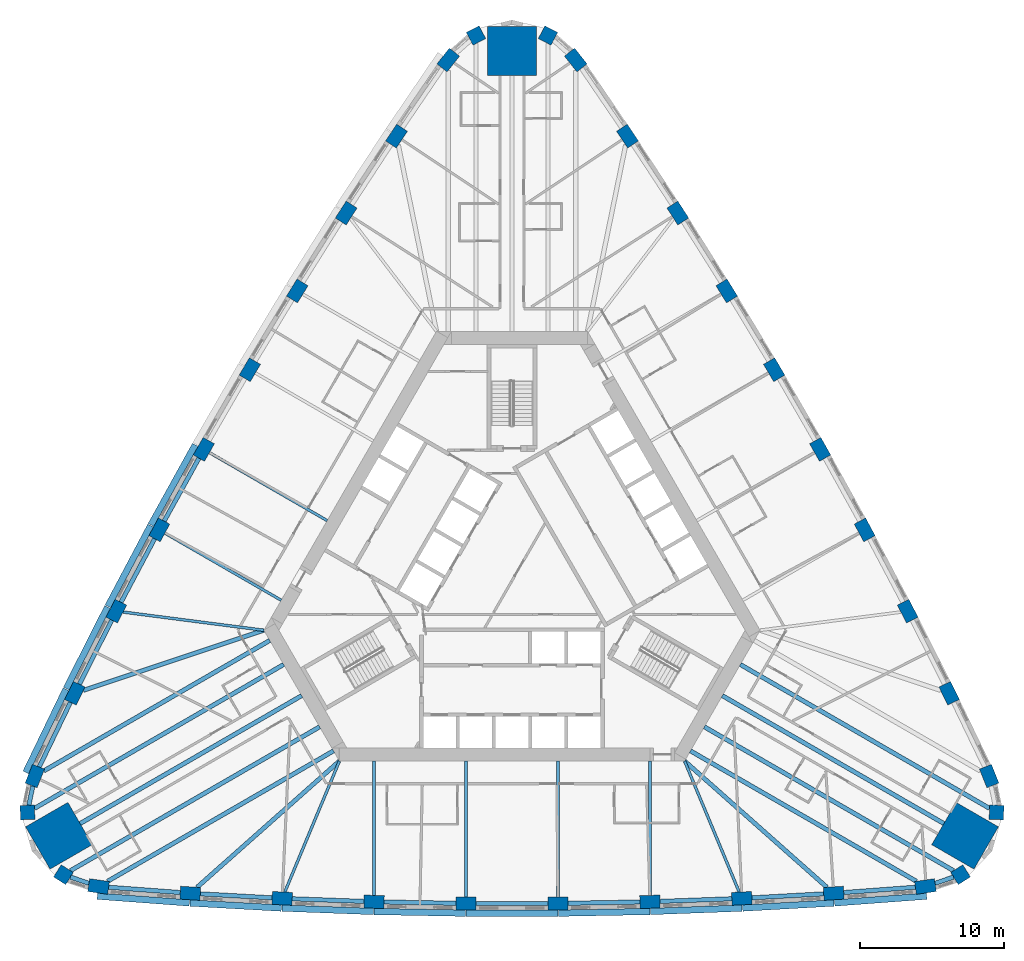
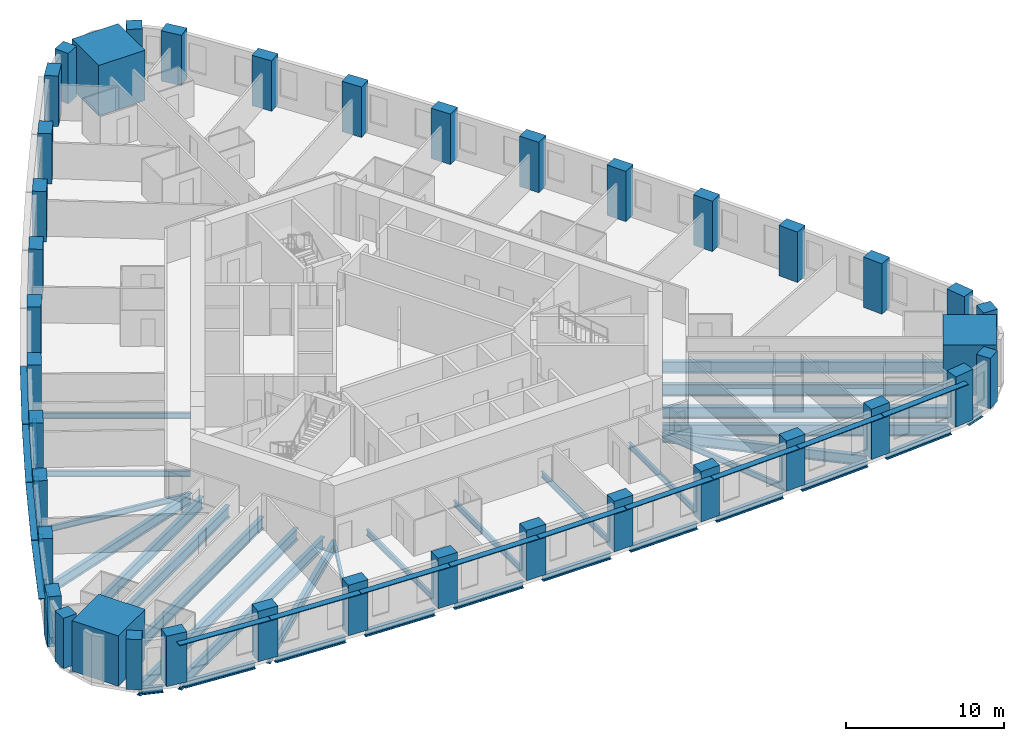
# One storey, part 1 of 13: 39 columns, 37 beams, 13 members.
"""IFC4 building model written with IfcOpenShell, lengths in metres."""

from ifc_helpers import new_model, si_unit, direction, frame, origin, origin_2d, place, context, subcontext, project, spatial, rectangle, i_section, extrude, material, material_profile, profile_set, type_object, element, save


model = new_model("IFC4")

# Units and contexts
model_context = context("Model", 3, precision=1e-05, world=origin(), true_north=direction((0.0, 1.0)))
body_context = subcontext(model_context, "Body", "Model", "MODEL_VIEW")
ifc_project = project(units=[si_unit("LENGTHUNIT", "METRE"), si_unit("AREAUNIT", "SQUARE_METRE"), si_unit("VOLUMEUNIT", "CUBIC_METRE"), si_unit("PLANEANGLEUNIT", "RADIAN"), si_unit("MASSUNIT", "GRAM", prefix="KILO")], contexts=[model_context])

# Site, building, storey
site_placement = place(None, origin())
site = spatial("IfcSite", under=ifc_project, at=site_placement, CompositionType="ELEMENT")
building_placement = place(site_placement, origin())
building = spatial("IfcBuilding", under=site, at=building_placement, Name="Mestral Congress Tower", CompositionType="ELEMENT")
storey_placement = place(building_placement, frame((0.0, 0.0, 62.699951171875)))
storey = spatial("IfcBuildingStorey", under=building, at=storey_placement, Name="L14", CompositionType="ELEMENT", Elevation=62.699951171875)

# Columns
ifc_material_1 = material(Name="Concrete C70/85", Category="concrete")
ifc_material_profile_1 = material_profile(ifc_material_1, rectangle(XDim=1.0, YDim=1.0, at=origin_2d()), Name="RC 1000x1000")
ifc_profile_set_1 = profile_set([ifc_material_profile_1], Name="Concrete C70/85")
column_type_1 = type_object("IfcColumnType", Name="Column RC 1000x1000 C70/85", PredefinedType="COLUMN", material=ifc_profile_set_1)
for number, where, z_axis, x_axis, name in (
    (1, (31.210205078125, -20.90966796875, 0.0), (0.0, 0.0, 1.0), (0.844485001826, 0.535579202071, 0.0), "COL-L14-C1-SE1"),
    (2, (33.71337890625, -16.573974609375, 0.0), (0.0, 0.0, 1.0), (0.041582693819, 0.999135065732, 0.0), "COL-L14-C1-SE3"),
    (3, (2.503173828125, 37.483642578125, 0.0), (0.0, 0.0, 1.0), (-0.886067695645, 0.463555863661, 0.0), "COL-L14-C1-N1"),
    (4, (-2.503173828125, 37.483642578125, 0.0), (0.0, 0.0, 1.0), (-0.886067695645, -0.463555863661, 0.0), "COL-L14-C1-N3"),
    (5, (-33.71337890625, -16.573974609375, 0.0), (0.0, 0.0, 1.0), (0.041582693819, -0.999135065732, 0.0), "COL-L14-C1-SW1"),
    (6, (-31.210205078125, -20.90966796875, 0.0), (0.0, 0.0, 1.0), (0.844485001826, -0.535579202071, 0.0), "COL-L14-C1-SW3"),
):
    element("IfcColumn", number, at=place(storey_placement, frame(where, z_axis=z_axis, x_axis=x_axis)), inside=storey, type_object=column_type_1, Name=name, PredefinedType="COLUMN", context=body_context, shape_type="SweptSolid", body=[
        extrude(rectangle(XDim=1.0, YDim=1.0, at=origin_2d()), origin(), (0.0, 0.0, 1.0), 3.900146484375),
    ])
ifc_material_profile_2 = material_profile(ifc_material_1, rectangle(XDim=1.39990234375, YDim=0.89990234375, at=origin_2d()), Name="RC 1400x900")
ifc_profile_set_2 = profile_set([ifc_material_profile_2], Name="Concrete C70/85")
column_type_2 = type_object("IfcColumnType", Name="Column RC 1400x900 C70/85", PredefinedType="COLUMN", material=ifc_profile_set_2)
for number, where, z_axis, x_axis, name in (
    (7, (-28.766845703125, -21.730712890625, 0.0), (0.0, 0.0, 1.0), (0.989423502484, -0.145055619443, 0.0), "COL-L14-C1-S00"),
    (8, (-22.384521484375, -22.20361328125, 0.0), (0.0, 0.0, 1.0), (0.997907501024, -0.064657709518, 0.0), "COL-L14-C1-S01"),
    (9, (-15.994384765625, -22.558349609375, 0.0), (0.0, 0.0, 1.0), (0.998932216029, -0.04619986774, 0.0), "COL-L14-C1-S02"),
    (10, (-9.598876953125, -22.794921875, 0.0), (0.0, 0.0, 1.0), (0.999615553977, -0.027726237529, 0.0), "COL-L14-C1-S03"),
    (11, (-3.199951171875, -22.9130859375, 0.0), (0.0, 0.0, 1.0), (0.999957281342, -0.009243132098, 0.0), "COL-L14-C1-S04"),
    (12, (3.199951171875, -22.9130859375, 0.0), (0.0, 0.0, 1.0), (0.999957281342, 0.009243132098, 0.0), "COL-L14-C1-S05"),
    (13, (9.598876953125, -22.794921875, 0.0), (0.0, 0.0, 1.0), (0.999615553977, 0.027726237529, 0.0), "COL-L14-C1-S06"),
    (14, (15.994384765625, -22.558349609375, 0.0), (0.0, 0.0, 1.0), (0.998932216029, 0.04619986774, 0.0), "COL-L14-C1-S07"),
    (15, (22.384521484375, -22.20361328125, 0.0), (0.0, 0.0, 1.0), (0.997907501024, 0.064657709518, 0.0), "COL-L14-C1-S08"),
    (16, (28.766845703125, -21.730712890625, 0.0), (0.0, 0.0, 1.0), (0.989423502484, 0.145055619443, 0.0), "COL-L14-C1-S09"),
    (17, (33.202880859375, -14.04736328125, 0.0), (0.0, 0.0, 1.0), (-0.369089899843, 0.929393697974, 0.0), "COL-L14-C1-E00"),
    (18, (30.421142578125, -8.28369140625, 0.0), (0.0, 0.0, 1.0), (-0.442958531519, 0.896542101273, 0.0), "COL-L14-C1-E01"),
    (19, (27.533203125, -2.572265625, 0.0), (0.0, 0.0, 1.0), (-0.4594558489, 0.88820060961, 0.0), "COL-L14-C1-E02"),
    (20, (24.540283203125, 3.084716796875, 0.0), (0.0, 0.0, 1.0), (-0.475796150937, 0.879555582526, 0.0), "COL-L14-C1-E03"),
    (21, (21.443359375, 8.685302734375, 0.0), (0.0, 0.0, 1.0), (-0.491973853463, 0.870609974391, 0.0), "COL-L14-C1-E04"),
    (22, (18.243408203125, 14.227783203125, 0.0), (0.0, 0.0, 1.0), (-0.507983427879, 0.861366842292, 0.0), "COL-L14-C1-E05"),
    (23, (14.941650390625, 19.710205078125, 0.0), (0.0, 0.0, 1.0), (-0.52381940304, 0.851829344998, 0.0), "COL-L14-C1-E06"),
    (24, (11.5390625, 25.130615234375, 0.0), (0.0, 0.0, 1.0), (-0.539476367129, 0.84200074187, 0.0), "COL-L14-C1-E07"),
    (25, (8.03662109375, 30.4873046875, 0.0), (0.0, 0.0, 1.0), (-0.554948969505, 0.831884391755, 0.0), "COL-L14-C1-E08"),
    (26, (4.43603515625, 35.7783203125, 0.0), (0.0, 0.0, 1.0), (-0.620333602641, 0.784338078531, 0.0), "COL-L14-C1-E09"),
    (27, (-4.43603515625, 35.7783203125, 0.0), (0.0, 0.0, 1.0), (-0.620333602641, -0.784338078531, 0.0), "COL-L14-C1-W00"),
    (28, (-8.03662109375, 30.4873046875, 0.0), (0.0, 0.0, 1.0), (-0.554948969505, -0.831884391755, 0.0), "COL-L14-C1-W01"),
    (29, (-11.5390625, 25.130615234375, 0.0), (0.0, 0.0, 1.0), (-0.539476367129, -0.84200074187, 0.0), "COL-L14-C1-W02"),
    (30, (-14.941650390625, 19.710205078125, 0.0), (0.0, 0.0, 1.0), (-0.52381940304, -0.851829344998, 0.0), "COL-L14-C1-W03"),
    (31, (-18.243408203125, 14.227783203125, 0.0), (0.0, 0.0, 1.0), (-0.507983427879, -0.861366842292, 0.0), "COL-L14-C1-W04"),
    (32, (-21.443359375, 8.685302734375, 0.0), (0.0, 0.0, 1.0), (-0.491973853463, -0.870609974391, 0.0), "COL-L14-C1-W05"),
    (33, (-24.540283203125, 3.084716796875, 0.0), (0.0, 0.0, 1.0), (-0.475796150937, -0.879555582526, 0.0), "COL-L14-C1-W06"),
    (34, (-27.533203125, -2.572265625, 0.0), (0.0, 0.0, 1.0), (-0.4594558489, -0.88820060961, 0.0), "COL-L14-C1-W07"),
    (35, (-30.421142578125, -8.28369140625, 0.0), (0.0, 0.0, 1.0), (-0.442958531519, -0.896542101273, 0.0), "COL-L14-C1-W08"),
    (36, (-33.202880859375, -14.04736328125, 0.0), (0.0, 0.0, 1.0), (-0.369089899843, -0.929393697974, 0.0), "COL-L14-C1-W09"),
):
    element("IfcColumn", number, at=place(storey_placement, frame(where, z_axis=z_axis, x_axis=x_axis)), inside=storey, type_object=column_type_2, Name=name, PredefinedType="COLUMN", context=body_context, shape_type="SweptSolid", body=[
        extrude(rectangle(XDim=1.39990234375, YDim=0.89990234375, at=origin_2d()), origin(), (0.0, 0.0, 1.0), 3.900146484375),
    ])
ifc_material_2 = material(Name="Concrete C80/95", Category="concrete")
ifc_material_profile_3 = material_profile(ifc_material_2, rectangle(XDim=3.39990234375, YDim=3.39990234375, at=origin_2d()), Name="RC 3400x3400")
ifc_profile_set_3 = profile_set([ifc_material_profile_3], Name="Concrete C80/95")
column_type_3 = type_object("IfcColumnType", Name="Mega column RC 3400x3400 C80/95", PredefinedType="COLUMN", material=ifc_profile_set_3)
for number, where, z_axis, x_axis, name in (
    (37, (31.5224609375, -18.199462890625, 0.0), (0.0, 0.0, 1.0), (0.866025403784, -0.5, 0.0), "COL-L14-PY1-SE"),
    (38, (0.0, 36.39892578125, 0.0), (0.0, 0.0, 1.0), (0.0, 1.0, 0.0), "COL-L14-PY1-N"),
    (39, (-31.5224609375, -18.199462890625, 0.0), (0.0, 0.0, 1.0), (-0.866025403784, -0.5, 0.0), "COL-L14-PY1-SW"),
):
    element("IfcColumn", number, at=place(storey_placement, frame(where, z_axis=z_axis, x_axis=x_axis)), inside=storey, type_object=column_type_3, Name=name, PredefinedType="COLUMN", context=body_context, shape_type="SweptSolid", body=[
        extrude(rectangle(XDim=3.39990234375, YDim=3.39990234375, at=origin_2d()), origin(), (0.0, 0.0, 1.0), 3.900146484375),
    ])

# Members
ifc_material_3 = material(Name="Glazed ceramic", Category="masonry")
ifc_material_profile_4 = material_profile(ifc_material_3, rectangle(XDim=0.449951171875, YDim=0.06005859375, at=origin_2d()), Name="Ceramic blade 450 x 60")
ifc_profile_set_4 = profile_set([ifc_material_profile_4], Name="Glazed ceramic")
member_type = type_object("IfcMemberType", Name="Facade sunshade blade 450 x 60", PredefinedType="USERDEFINED", material=ifc_profile_set_4)
member_1_placement = place(storey_placement, frame((-28.853271484375, -22.4013671875, 3.280029296875), z_axis=(0.997269829073, -0.073843672858, 0.0), x_axis=(0.073843672858, 0.997269829073, 0.0)))
element("IfcMember", 40, at=member_1_placement, inside=storey, type_object=member_type, Name="Sunshade F0-00", ObjectType="SUNSHADE", PredefinedType="USERDEFINED", context=body_context, shape_type="SweptSolid", body=[
    extrude(rectangle(XDim=0.449951171875, YDim=0.06005859375, at=origin_2d()), origin(), (0.0, 0.0, 1.0), 6.420654296875),
])
member_2_placement = place(storey_placement, frame((-22.406005859375, -22.87841796875, 3.280029296875), z_axis=(0.998462240013, -0.055436046654, 0.0), x_axis=(0.055436046654, 0.998462240013, 0.0)))
element("IfcMember", 41, at=member_2_placement, inside=storey, type_object=member_type, Name="Sunshade F0-01", ObjectType="SUNSHADE", PredefinedType="USERDEFINED", context=body_context, shape_type="SweptSolid", body=[
    extrude(rectangle(XDim=0.449951171875, YDim=0.06005859375, at=origin_2d()), origin(), (0.0, 0.0, 1.0), 6.3681640625),
])
member_3_placement = place(storey_placement, frame((-16.00341796875, -23.2333984375, 3.280029296875), z_axis=(0.99931546381, -0.036994645436, 0.0), x_axis=(0.036994645436, 0.99931546381, 0.0)))
element("IfcMember", 42, at=member_3_placement, inside=storey, type_object=member_type, Name="Sunshade F0-02", ObjectType="SUNSHADE", PredefinedType="USERDEFINED", context=body_context, shape_type="SweptSolid", body=[
    extrude(rectangle(XDim=0.449951171875, YDim=0.06005859375, at=origin_2d()), origin(), (0.0, 0.0, 1.0), 6.368408203125),
])
for number, where, z_axis, x_axis, name in (
    (43, (-9.595458984375, -23.47021484375, 3.280029296875), (0.99982925906, -0.018478439527, 0.0), (0.018478439527, 0.99982925906, 0.0), "Sunshade F0-03"),
    (44, (-3.18408203125, -23.588134765625, 3.280029296875), (1.0, 0.0, 0.0), (0.0, 1.0, 0.0), "Sunshade F0-04"),
    (45, (3.228271484375, -23.587890625, 3.280029296875), (0.99982925906, 0.018478439527, 0.0), (-0.018478439527, 0.99982925906, 0.0), "Sunshade F0-05"),
):
    element("IfcMember", number, at=place(storey_placement, frame(where, z_axis=z_axis, x_axis=x_axis)), inside=storey, type_object=member_type, Name=name, ObjectType="SUNSHADE", PredefinedType="USERDEFINED", context=body_context, shape_type="SweptSolid", body=[
        extrude(rectangle(XDim=0.449951171875, YDim=0.06005859375, at=origin_2d()), origin(), (0.0, 0.0, 1.0), 6.3681640625),
    ])
member_4_placement = place(storey_placement, frame((9.639404296875, -23.468994140625, 3.280029296875), z_axis=(0.99931546381, 0.036994645436, 0.0), x_axis=(-0.036994645436, 0.99931546381, 0.0)))
element("IfcMember", 46, at=member_4_placement, inside=storey, type_object=member_type, Name="Sunshade F0-06", ObjectType="SUNSHADE", PredefinedType="USERDEFINED", context=body_context, shape_type="SweptSolid", body=[
    extrude(rectangle(XDim=0.449951171875, YDim=0.06005859375, at=origin_2d()), origin(), (0.0, 0.0, 1.0), 6.368408203125),
])
member_5_placement = place(storey_placement, frame((16.047607421875, -23.2314453125, 3.280029296875), z_axis=(0.998462240013, 0.055436046654, 0.0), x_axis=(-0.055436046654, 0.998462240013, 0.0)))
element("IfcMember", 47, at=member_5_placement, inside=storey, type_object=member_type, Name="Sunshade F0-07", ObjectType="SUNSHADE", PredefinedType="USERDEFINED", context=body_context, shape_type="SweptSolid", body=[
    extrude(rectangle(XDim=0.449951171875, YDim=0.06005859375, at=origin_2d()), origin(), (0.0, 0.0, 1.0), 6.3681640625),
])
member_6_placement = place(storey_placement, frame((22.4501953125, -22.87548828125, 3.280029296875), z_axis=(0.997269829073, 0.073843672858, 0.0), x_axis=(-0.073843672858, 0.997269829073, 0.0)))
element("IfcMember", 48, at=member_6_placement, inside=storey, type_object=member_type, Name="Sunshade F0-08", ObjectType="SUNSHADE", PredefinedType="USERDEFINED", context=body_context, shape_type="SweptSolid", body=[
    extrude(rectangle(XDim=0.449951171875, YDim=0.06005859375, at=origin_2d()), origin(), (0.0, 0.0, 1.0), 6.420654296875),
])
for number, where, z_axis, x_axis, name in (
    (49, (-22.041748046875, 8.998291015625, 3.280029296875), (-0.483893994258, -0.875126620736, 0.0), (0.875126620736, -0.483893994258, 0.0), "Sunshade F2-05"),
    (50, (-25.144287109375, 3.38623046875, 3.280029296875), (-0.467674573128, -0.883900726128, 0.0), (0.883900726128, -0.467674573128, 0.0), "Sunshade F2-06"),
    (51, (-28.142822265625, -2.28173828125, 3.280029296875), (-0.451226804026, -0.892409307061, 0.0), (0.892409307061, -0.451226804026, 0.0), "Sunshade F2-07"),
):
    element("IfcMember", number, at=place(storey_placement, frame(where, z_axis=z_axis, x_axis=x_axis)), inside=storey, type_object=member_type, Name=name, ObjectType="SUNSHADE", PredefinedType="USERDEFINED", context=body_context, shape_type="SweptSolid", body=[
        extrude(rectangle(XDim=0.449951171875, YDim=0.06005859375, at=origin_2d()), origin(), (0.0, 0.0, 1.0), 6.3681640625),
    ])
member_7_placement = place(storey_placement, frame((-31.035888671875, -8.00439453125, 3.280029296875), z_axis=(-0.434637414368, -0.900605528537, 0.0), x_axis=(0.900605528537, -0.434637414368, 0.0)))
element("IfcMember", 52, at=member_7_placement, inside=storey, type_object=member_type, Name="Sunshade F2-08", ObjectType="SUNSHADE", PredefinedType="USERDEFINED", context=body_context, shape_type="SweptSolid", body=[
    extrude(rectangle(XDim=0.449951171875, YDim=0.06005859375, at=origin_2d()), origin(), (0.0, 0.0, 1.0), 6.4208984375),
])

# Beams
ifc_material_4 = material(Name="Steel S355", Category="steel")
ifc_material_profile_5 = material_profile(ifc_material_4, i_section(OverallWidth=0.300048828125, OverallDepth=0.800048828125, WebThickness=0.017578125, FlangeThickness=0.032958984375, FilletRadius=0.030029296875, at=origin_2d()), Name="HEB 800")
ifc_profile_set_5 = profile_set([ifc_material_profile_5], Name="Steel S355")
beam_type_1 = type_object("IfcBeamType", Name="Floor beam HEB 800 S355", PredefinedType="BEAM", material=ifc_profile_set_5)
for number, where, z_axis, x_axis, name in (
    (53, (-21.91064453125, -21.783447265625, -0.64990234375), (0.748091770025, 0.663595286015, 0.0), (-0.663595286015, 0.748091770025, 0.0), "BM-L14-RB1-S01"),
    (54, (21.91064453125, -21.783447265625, -0.64990234375), (-0.748091770025, 0.663595286015, 0.0), (-0.663595286015, -0.748091770025, 0.0), "BM-L14-RB1-S08"),
    (55, (-29.8203125, -8.08349609375, -0.64990234375), (0.948734931285, 0.316072824141, 0.0), (-0.316072824141, 0.948734931285, 0.0), "BM-L14-RB1-W08"),
):
    element("IfcBeam", number, at=place(storey_placement, frame(where, z_axis=z_axis, x_axis=x_axis)), inside=storey, type_object=beam_type_1, Name=name, PredefinedType="BEAM", context=body_context, shape_type="SweptSolid", body=[
        extrude(i_section(OverallWidth=0.300048828125, OverallDepth=0.800048828125, WebThickness=0.017578125, FlangeThickness=0.032958984375, FilletRadius=0.030029296875, at=origin_2d()), origin(), (0.0, 0.0, 1.0), 13.236083984375),
    ])
ifc_material_profile_6 = material_profile(ifc_material_4, i_section(OverallWidth=0.300048828125, OverallDepth=0.89990234375, WebThickness=0.0185546875, FlangeThickness=0.034912109375, FilletRadius=0.030029296875, at=origin_2d()), Name="HEB 900")
ifc_profile_set_6 = profile_set([ifc_material_profile_6], Name="Steel S355")
beam_type_2 = type_object("IfcBeamType", Name="Floor beam HEB 900 S355", PredefinedType="BEAM", material=ifc_profile_set_6)
for number, where, z_axis, x_axis, name in (
    (56, (-28.138671875, -21.3681640625, -0.699951171875), (0.866027243369, 0.499996813733, 0.0), (-0.499996813733, 0.866027243369, 0.0), "BM-L14-RB1-S00"),
    (57, (28.138671875, -21.3681640625, -0.699951171875), (-0.866027243369, 0.499996813733, 0.0), (-0.499996813733, -0.866027243369, 0.0), "BM-L14-RB1-S09"),
):
    element("IfcBeam", number, at=place(storey_placement, frame(where, z_axis=z_axis, x_axis=x_axis)), inside=storey, type_object=beam_type_2, Name=name, PredefinedType="BEAM", context=body_context, shape_type="SweptSolid", body=[
        extrude(i_section(OverallWidth=0.300048828125, OverallDepth=0.89990234375, WebThickness=0.0185546875, FlangeThickness=0.034912109375, FilletRadius=0.030029296875, at=origin_2d()), origin(), (0.0, 0.0, 1.0), 18.15283203125),
    ])
beam_1_placement = place(storey_placement, frame((30.721435546875, -20.62744140625, -0.699951171875), z_axis=(-0.866027382289, 0.499996573113, 0.0), x_axis=(-0.499996573113, -0.866027382289, 0.0)))
element("IfcBeam", 58, at=beam_1_placement, inside=storey, type_object=beam_type_2, Name="BM-L14-RB1-SE1", PredefinedType="BEAM", context=body_context, shape_type="SweptSolid", body=[
    extrude(i_section(OverallWidth=0.300048828125, OverallDepth=0.89990234375, WebThickness=0.0185546875, FlangeThickness=0.034912109375, FilletRadius=0.030029296875, at=origin_2d()), origin(), (0.0, 0.0, 1.0), 20.019287109375),
])
beam_2_placement = place(storey_placement, frame((30.050048828125, -17.349609375, -0.699951171875), z_axis=(-0.866020438056, 0.500008600796, 0.0), x_axis=(-0.500008600796, -0.866020438056, 0.0)))
element("IfcBeam", 59, at=beam_2_placement, inside=storey, type_object=beam_type_2, Name="BM-L14-RB1-SE", PredefinedType="BEAM", context=body_context, shape_type="SweptSolid", body=[
    extrude(i_section(OverallWidth=0.300048828125, OverallDepth=0.89990234375, WebThickness=0.0185546875, FlangeThickness=0.034912109375, FilletRadius=0.030029296875, at=origin_2d()), origin(), (0.0, 0.0, 1.0), 17.799072265625),
])
beam_3_placement = place(storey_placement, frame((33.224609375, -16.291748046875, -0.699951171875), z_axis=(-0.866027382289, 0.499996573113, 0.0), x_axis=(-0.499996573113, -0.866027382289, 0.0)))
element("IfcBeam", 60, at=beam_3_placement, inside=storey, type_object=beam_type_2, Name="BM-L14-RB1-SE3", PredefinedType="BEAM", context=body_context, shape_type="SweptSolid", body=[
    extrude(i_section(OverallWidth=0.300048828125, OverallDepth=0.89990234375, WebThickness=0.0185546875, FlangeThickness=0.034912109375, FilletRadius=0.030029296875, at=origin_2d()), origin(), (0.0, 0.0, 1.0), 20.019287109375),
])
beam_4_placement = place(storey_placement, frame((-32.574462890625, -13.6845703125, -0.699951171875), z_axis=(0.866029704776, 0.49999255039, 0.0), x_axis=(-0.49999255039, 0.866029704776, 0.0)))
element("IfcBeam", 61, at=beam_4_placement, inside=storey, type_object=beam_type_2, Name="BM-L14-RB1-W09", PredefinedType="BEAM", context=body_context, shape_type="SweptSolid", body=[
    extrude(i_section(OverallWidth=0.300048828125, OverallDepth=0.89990234375, WebThickness=0.0185546875, FlangeThickness=0.034912109375, FilletRadius=0.030029296875, at=origin_2d()), origin(), (0.0, 0.0, 1.0), 18.152587890625),
])
beam_5_placement = place(storey_placement, frame((-33.224609375, -16.291748046875, -0.699951171875), z_axis=(0.866027382289, 0.499996573113, 0.0), x_axis=(-0.499996573113, 0.866027382289, 0.0)))
element("IfcBeam", 62, at=beam_5_placement, inside=storey, type_object=beam_type_2, Name="BM-L14-RB1-SW1", PredefinedType="BEAM", context=body_context, shape_type="SweptSolid", body=[
    extrude(i_section(OverallWidth=0.300048828125, OverallDepth=0.89990234375, WebThickness=0.0185546875, FlangeThickness=0.034912109375, FilletRadius=0.030029296875, at=origin_2d()), origin(), (0.0, 0.0, 1.0), 20.019287109375),
])
beam_6_placement = place(storey_placement, frame((-30.050048828125, -17.349609375, -0.699951171875), z_axis=(0.866020438056, 0.500008600796, 0.0), x_axis=(-0.500008600796, 0.866020438056, 0.0)))
element("IfcBeam", 63, at=beam_6_placement, inside=storey, type_object=beam_type_2, Name="BM-L14-RB1-SW", PredefinedType="BEAM", context=body_context, shape_type="SweptSolid", body=[
    extrude(i_section(OverallWidth=0.300048828125, OverallDepth=0.89990234375, WebThickness=0.0185546875, FlangeThickness=0.034912109375, FilletRadius=0.030029296875, at=origin_2d()), origin(), (0.0, 0.0, 1.0), 17.799072265625),
])
beam_7_placement = place(storey_placement, frame((-30.721435546875, -20.62744140625, -0.699951171875), z_axis=(0.866027382289, 0.499996573113, 0.0), x_axis=(-0.499996573113, 0.866027382289, 0.0)))
element("IfcBeam", 64, at=beam_7_placement, inside=storey, type_object=beam_type_2, Name="BM-L14-RB1-SW3", PredefinedType="BEAM", context=body_context, shape_type="SweptSolid", body=[
    extrude(i_section(OverallWidth=0.300048828125, OverallDepth=0.89990234375, WebThickness=0.0185546875, FlangeThickness=0.034912109375, FilletRadius=0.030029296875, at=origin_2d()), origin(), (0.0, 0.0, 1.0), 20.019287109375),
])
ifc_material_profile_7 = material_profile(ifc_material_4, i_section(OverallWidth=0.18994140625, OverallDepth=0.449951171875, WebThickness=0.009521484375, FlangeThickness=0.0146484375, FilletRadius=0.02099609375, at=origin_2d()), Name="IPE 450")
ifc_profile_set_7 = profile_set([ifc_material_profile_7], Name="Steel S355")
beam_type_3 = type_object("IfcBeamType", Name="Floor beam IPE 450 S355", PredefinedType="BEAM", material=ifc_profile_set_7)
beam_8_placement = place(storey_placement, frame((-15.81005859375, -22.116455078125, -0.474853515625), z_axis=(0.384852309441, 0.922978168711, 0.0), x_axis=(-0.922978168711, 0.384852309441, 0.0)))
element("IfcBeam", 65, at=beam_8_placement, inside=storey, type_object=beam_type_3, Name="BM-L14-RB1-S02", PredefinedType="BEAM", context=body_context, shape_type="SweptSolid", body=[
    extrude(i_section(OverallWidth=0.18994140625, OverallDepth=0.449951171875, WebThickness=0.009521484375, FlangeThickness=0.0146484375, FilletRadius=0.02099609375, at=origin_2d()), origin(), (0.0, 0.0, 1.0), 9.877197265625),
])
beam_9_placement = place(storey_placement, frame((-9.598876953125, -22.3447265625, -0.474853515625), z_axis=(0.0, 1.0, 0.0), x_axis=(-1.0, 0.0, 0.0)))
element("IfcBeam", 66, at=beam_9_placement, inside=storey, type_object=beam_type_3, Name="BM-L14-RB1-S03", PredefinedType="BEAM", context=body_context, shape_type="SweptSolid", body=[
    extrude(i_section(OverallWidth=0.18994140625, OverallDepth=0.449951171875, WebThickness=0.009521484375, FlangeThickness=0.0146484375, FilletRadius=0.02099609375, at=origin_2d()), origin(), (0.0, 0.0, 1.0), 9.3447265625),
])
for number, where, z_axis, x_axis, name in (
    (67, (-3.199951171875, -22.463134765625, -0.474853515625), (0.0, 1.0, 0.0), (-1.0, 0.0, 0.0), "BM-L14-RB1-S04"),
    (68, (3.199951171875, -22.463134765625, -0.474853515625), (0.0, 1.0, 0.0), (-1.0, 0.0, 0.0), "BM-L14-RB1-S05"),
):
    element("IfcBeam", number, at=place(storey_placement, frame(where, z_axis=z_axis, x_axis=x_axis)), inside=storey, type_object=beam_type_3, Name=name, PredefinedType="BEAM", context=body_context, shape_type="SweptSolid", body=[
        extrude(i_section(OverallWidth=0.18994140625, OverallDepth=0.449951171875, WebThickness=0.009521484375, FlangeThickness=0.0146484375, FilletRadius=0.02099609375, at=origin_2d()), origin(), (0.0, 0.0, 1.0), 9.463134765625),
    ])
beam_10_placement = place(storey_placement, frame((9.598876953125, -22.3447265625, -0.474853515625), z_axis=(0.0, 1.0, 0.0), x_axis=(-1.0, 0.0, 0.0)))
element("IfcBeam", 69, at=beam_10_placement, inside=storey, type_object=beam_type_3, Name="BM-L14-RB1-S06", PredefinedType="BEAM", context=body_context, shape_type="SweptSolid", body=[
    extrude(i_section(OverallWidth=0.18994140625, OverallDepth=0.449951171875, WebThickness=0.009521484375, FlangeThickness=0.0146484375, FilletRadius=0.02099609375, at=origin_2d()), origin(), (0.0, 0.0, 1.0), 9.3447265625),
])
beam_11_placement = place(storey_placement, frame((15.81005859375, -22.116455078125, -0.474853515625), z_axis=(-0.384852309441, 0.922978168711, 0.0), x_axis=(-0.922978168711, -0.384852309441, 0.0)))
element("IfcBeam", 70, at=beam_11_placement, inside=storey, type_object=beam_type_3, Name="BM-L14-RB1-S07", PredefinedType="BEAM", context=body_context, shape_type="SweptSolid", body=[
    extrude(i_section(OverallWidth=0.18994140625, OverallDepth=0.449951171875, WebThickness=0.009521484375, FlangeThickness=0.0146484375, FilletRadius=0.02099609375, at=origin_2d()), origin(), (0.0, 0.0, 1.0), 9.877197265625),
])
beam_12_placement = place(storey_placement, frame((-21.0537109375, 8.46044921875, -0.474853515625), z_axis=(0.866019749231, -0.500009793847, 0.0), x_axis=(0.500009793847, 0.866019749231, 0.0)))
element("IfcBeam", 71, at=beam_12_placement, inside=storey, type_object=beam_type_3, Name="BM-L14-RB1-W05", PredefinedType="BEAM", context=body_context, shape_type="SweptSolid", body=[
    extrude(i_section(OverallWidth=0.18994140625, OverallDepth=0.449951171875, WebThickness=0.009521484375, FlangeThickness=0.0146484375, FilletRadius=0.02099609375, at=origin_2d()), origin(), (0.0, 0.0, 1.0), 9.463134765625),
])
beam_13_placement = place(storey_placement, frame((-24.150634765625, 2.859619140625, -0.474853515625), z_axis=(0.866032011123, -0.499988555579, 0.0), x_axis=(0.499988555579, 0.866032011123, 0.0)))
element("IfcBeam", 72, at=beam_13_placement, inside=storey, type_object=beam_type_3, Name="BM-L14-RB1-W06", PredefinedType="BEAM", context=body_context, shape_type="SweptSolid", body=[
    extrude(i_section(OverallWidth=0.18994140625, OverallDepth=0.449951171875, WebThickness=0.009521484375, FlangeThickness=0.0146484375, FilletRadius=0.02099609375, at=origin_2d()), origin(), (0.0, 0.0, 1.0), 9.344970703125),
])
beam_14_placement = place(storey_placement, frame((-27.058349609375, -2.6337890625, -0.474853515625), z_axis=(0.99175011495, -0.128186229747, 0.0), x_axis=(0.128186229747, 0.99175011495, 0.0)))
element("IfcBeam", 73, at=beam_14_placement, inside=storey, type_object=beam_type_3, Name="BM-L14-RB1-W07", PredefinedType="BEAM", context=body_context, shape_type="SweptSolid", body=[
    extrude(i_section(OverallWidth=0.18994140625, OverallDepth=0.449951171875, WebThickness=0.009521484375, FlangeThickness=0.0146484375, FilletRadius=0.02099609375, at=origin_2d()), origin(), (0.0, 0.0, 1.0), 9.877197265625),
])
ifc_material_profile_8 = material_profile(ifc_material_4, i_section(OverallWidth=0.300048828125, OverallDepth=0.489990234375, WebThickness=0.011962890625, FlangeThickness=0.02294921875, FilletRadius=0.027099609375, at=origin_2d()), Name="HEA 500")
ifc_profile_set_8 = profile_set([ifc_material_profile_8], Name="Steel S355")
beam_type_4 = type_object("IfcBeamType", Name="Spandrel beam HEA 500 S355", PredefinedType="BEAM", material=ifc_profile_set_8)
beam_15_placement = place(storey_placement, frame((-28.06689453125, -21.78271484375, -0.494873046875), z_axis=(0.997268820599, -0.073857291181, 0.0), x_axis=(0.073857291181, 0.997268820599, 0.0)))
element("IfcBeam", 74, at=beam_15_placement, inside=storey, type_object=beam_type_4, Name="SP-L14-SB1-S00", PredefinedType="BEAM", context=body_context, shape_type="SweptSolid", body=[
    extrude(i_section(OverallWidth=0.300048828125, OverallDepth=0.489990234375, WebThickness=0.011962890625, FlangeThickness=0.02294921875, FilletRadius=0.027099609375, at=origin_2d()), origin(), (0.0, 0.0, 1.0), 4.998046875),
])
for number, where, z_axis, x_axis, name in (
    (75, (-21.685546875, -22.242431640625, -0.494873046875), (0.998463056415, -0.055421340426, 0.0), (0.055421340426, 0.998463056415, 0.0), "SP-L14-SB1-S01"),
    (76, (-15.294677734375, -22.584228515625, -0.494873046875), (0.999316571833, -0.036964702901, 0.0), (0.036964702901, 0.999316571833, 0.0), "SP-L14-SB1-S02"),
    (77, (-8.89892578125, -22.807861328125, -0.494873046875), (0.999829645984, -0.018457492, 0.0), (0.018457492, 0.999829645984, 0.0), "SP-L14-SB1-S03"),
):
    element("IfcBeam", number, at=place(storey_placement, frame(where, z_axis=z_axis, x_axis=x_axis)), inside=storey, type_object=beam_type_4, Name=name, PredefinedType="BEAM", context=body_context, shape_type="SweptSolid", body=[
        extrude(i_section(OverallWidth=0.300048828125, OverallDepth=0.489990234375, WebThickness=0.011962890625, FlangeThickness=0.02294921875, FilletRadius=0.027099609375, at=origin_2d()), origin(), (0.0, 0.0, 1.0), 4.999755859375),
    ])
beam_16_placement = place(storey_placement, frame((-2.5, -22.9130859375, -0.494873046875), z_axis=(1.0, 0.0, 0.0), x_axis=(0.0, 1.0, 0.0)))
element("IfcBeam", 78, at=beam_16_placement, inside=storey, type_object=beam_type_4, Name="SP-L14-SB1-S04", PredefinedType="BEAM", context=body_context, shape_type="SweptSolid", body=[
    extrude(i_section(OverallWidth=0.300048828125, OverallDepth=0.489990234375, WebThickness=0.011962890625, FlangeThickness=0.02294921875, FilletRadius=0.027099609375, at=origin_2d()), origin(), (0.0, 0.0, 1.0), 5.0),
])
for number, where, z_axis, x_axis, name in (
    (79, (3.89990234375, -22.900146484375, -0.494873046875), (0.999829645984, 0.018457492, 0.0), (-0.018457492, 0.999829645984, 0.0), "SP-L14-SB1-S05"),
    (80, (10.29833984375, -22.76904296875, -0.494873046875), (0.999316571833, 0.036964702901, 0.0), (-0.036964702901, 0.999316571833, 0.0), "SP-L14-SB1-S06"),
    (81, (16.693359375, -22.51953125, -0.494873046875), (0.998463056415, 0.055421340426, 0.0), (-0.055421340426, 0.998463056415, 0.0), "SP-L14-SB1-S07"),
):
    element("IfcBeam", number, at=place(storey_placement, frame(where, z_axis=z_axis, x_axis=x_axis)), inside=storey, type_object=beam_type_4, Name=name, PredefinedType="BEAM", context=body_context, shape_type="SweptSolid", body=[
        extrude(i_section(OverallWidth=0.300048828125, OverallDepth=0.489990234375, WebThickness=0.011962890625, FlangeThickness=0.02294921875, FilletRadius=0.027099609375, at=origin_2d()), origin(), (0.0, 0.0, 1.0), 4.999755859375),
    ])
beam_17_placement = place(storey_placement, frame((23.08251953125, -22.15185546875, -0.494873046875), z_axis=(0.997268820599, 0.073857291181, 0.0), x_axis=(-0.073857291181, 0.997268820599, 0.0)))
element("IfcBeam", 82, at=beam_17_placement, inside=storey, type_object=beam_type_4, Name="SP-L14-SB1-S08", PredefinedType="BEAM", context=body_context, shape_type="SweptSolid", body=[
    extrude(i_section(OverallWidth=0.300048828125, OverallDepth=0.489990234375, WebThickness=0.011962890625, FlangeThickness=0.02294921875, FilletRadius=0.027099609375, at=origin_2d()), origin(), (0.0, 0.0, 1.0), 4.998046875),
])
beam_18_placement = place(storey_placement, frame((29.441162109375, -21.504150390625, -0.494873046875), z_axis=(0.947921796083, 0.318503168762, 0.0), x_axis=(-0.318503168762, 0.947921796083, 0.0)))
element("IfcBeam", 83, at=beam_18_placement, inside=storey, type_object=beam_type_4, Name="SP-L14-SB1-S09", PredefinedType="BEAM", context=body_context, shape_type="SweptSolid", body=[
    extrude(i_section(OverallWidth=0.300048828125, OverallDepth=0.489990234375, WebThickness=0.011962890625, FlangeThickness=0.02294921875, FilletRadius=0.027099609375, at=origin_2d()), origin(), (0.0, 0.0, 1.0), 1.351318359375),
])
beam_19_placement = place(storey_placement, frame((-21.7822265625, 8.07275390625, -0.494873046875), z_axis=(-0.483900688062, -0.875122919419, 0.0), x_axis=(0.875122919419, -0.483900688062, 0.0)))
element("IfcBeam", 84, at=beam_19_placement, inside=storey, type_object=beam_type_4, Name="SP-L14-SB1-W05", PredefinedType="BEAM", context=body_context, shape_type="SweptSolid", body=[
    extrude(i_section(OverallWidth=0.300048828125, OverallDepth=0.489990234375, WebThickness=0.011962890625, FlangeThickness=0.02294921875, FilletRadius=0.027099609375, at=origin_2d()), origin(), (0.0, 0.0, 1.0), 4.999755859375),
])
beam_20_placement = place(storey_placement, frame((-24.86767578125, 2.4658203125, -0.494873046875), z_axis=(-0.467681307417, -0.883897162962, 0.0), x_axis=(0.883897162962, -0.467681307417, 0.0)))
element("IfcBeam", 85, at=beam_20_placement, inside=storey, type_object=beam_type_4, Name="SP-L14-SB1-W06", PredefinedType="BEAM", context=body_context, shape_type="SweptSolid", body=[
    extrude(i_section(OverallWidth=0.300048828125, OverallDepth=0.489990234375, WebThickness=0.011962890625, FlangeThickness=0.02294921875, FilletRadius=0.027099609375, at=origin_2d()), origin(), (0.0, 0.0, 1.0), 5.0),
])
beam_21_placement = place(storey_placement, frame((-27.84912109375, -3.197021484375, -0.494873046875), z_axis=(-0.45123261425, -0.892406369227, 0.0), x_axis=(0.892406369227, -0.45123261425, 0.0)))
element("IfcBeam", 86, at=beam_21_placement, inside=storey, type_object=beam_type_4, Name="SP-L14-SB1-W07", PredefinedType="BEAM", context=body_context, shape_type="SweptSolid", body=[
    extrude(i_section(OverallWidth=0.300048828125, OverallDepth=0.489990234375, WebThickness=0.011962890625, FlangeThickness=0.02294921875, FilletRadius=0.027099609375, at=origin_2d()), origin(), (0.0, 0.0, 1.0), 4.999755859375),
])
beam_22_placement = place(storey_placement, frame((-30.725341796875, -8.9140625, -0.494873046875), z_axis=(-0.434645244295, -0.900601749727, 0.0), x_axis=(0.900601749727, -0.434645244295, 0.0)))
element("IfcBeam", 87, at=beam_22_placement, inside=storey, type_object=beam_type_4, Name="SP-L14-SB1-W08", PredefinedType="BEAM", context=body_context, shape_type="SweptSolid", body=[
    extrude(i_section(OverallWidth=0.300048828125, OverallDepth=0.489990234375, WebThickness=0.011962890625, FlangeThickness=0.02294921875, FilletRadius=0.027099609375, at=origin_2d()), origin(), (0.0, 0.0, 1.0), 4.998046875),
])
beam_23_placement = place(storey_placement, frame((-33.34375, -14.74462890625, -0.494873046875), z_axis=(-0.197991750859, -0.980203686277, 0.0), x_axis=(0.980203686277, -0.197991750859, 0.0)))
element("IfcBeam", 88, at=beam_23_placement, inside=storey, type_object=beam_type_4, Name="SP-L14-SB1-W09", PredefinedType="BEAM", context=body_context, shape_type="SweptSolid", body=[
    extrude(i_section(OverallWidth=0.300048828125, OverallDepth=0.489990234375, WebThickness=0.011962890625, FlangeThickness=0.02294921875, FilletRadius=0.027099609375, at=origin_2d()), origin(), (0.0, 0.0, 1.0), 1.3515625),
])
beam_24_placement = place(storey_placement, frame((-30.72216796875, -21.07373046875, -0.494873046875), z_axis=(0.947921796083, -0.318503168762, 0.0), x_axis=(0.318503168762, 0.947921796083, 0.0)))
element("IfcBeam", 89, at=beam_24_placement, inside=storey, type_object=beam_type_4, Name="SP-L14-SB1-SW3", PredefinedType="BEAM", context=body_context, shape_type="SweptSolid", body=[
    extrude(i_section(OverallWidth=0.300048828125, OverallDepth=0.489990234375, WebThickness=0.011962890625, FlangeThickness=0.02294921875, FilletRadius=0.027099609375, at=origin_2d()), origin(), (0.0, 0.0, 1.0), 1.351318359375),
])

save(model, "model.ifc")
